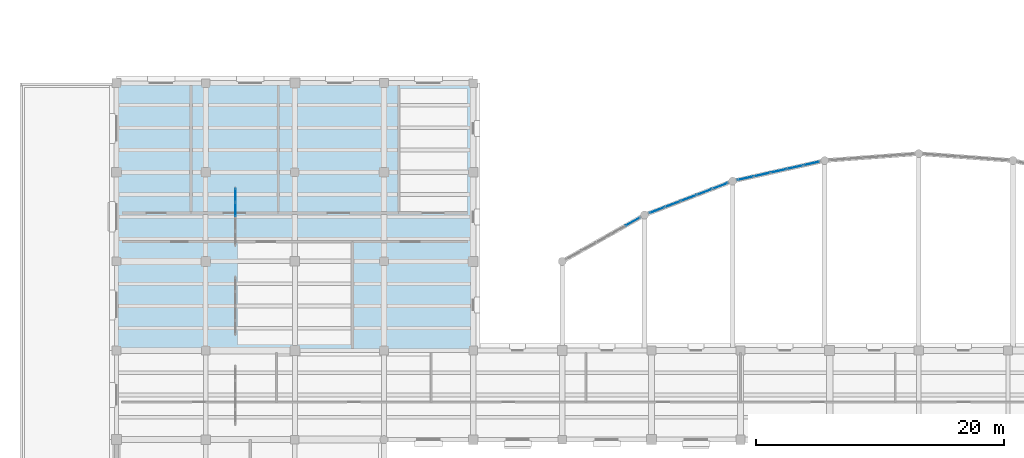
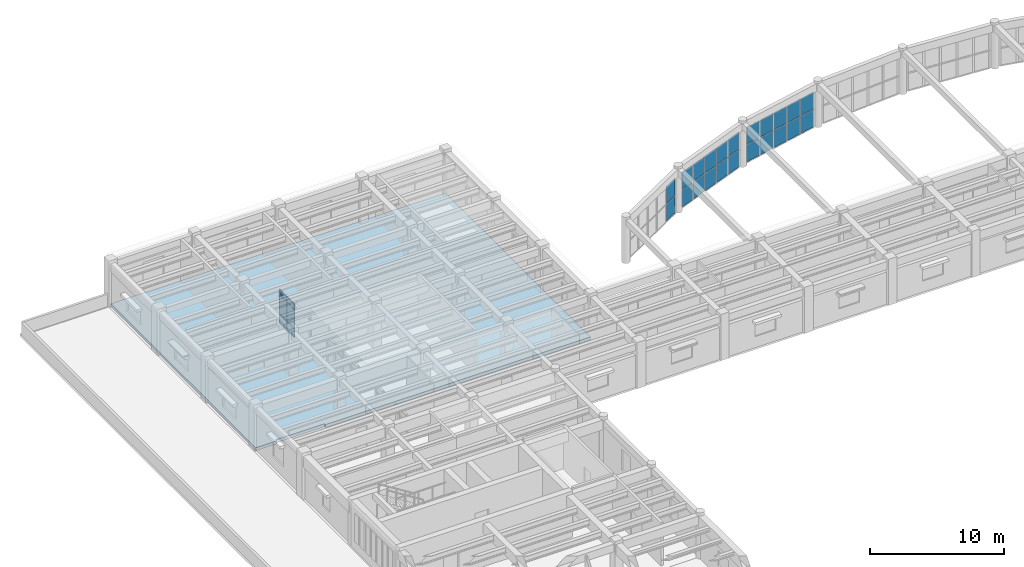
# One storey, part 41 of 76: 28 plates, 1 slab, 4 elements without a shape of their own.
"""IFC4 building model written with IfcOpenShell, lengths in metres."""

from ifc_helpers import new_model, si_unit, direction, frame, origin, origin_2d, place, context, subcontext, project, spatial, polyline, rectangle, outline, extrude, material, layer, layer_set, type_object, element, aggregate, save


model = new_model("IFC4")

# Units and contexts
model_context = context("Model", 3, precision=1e-05, world=origin(), true_north=direction((0.0, 1.0)))
body_context = subcontext(model_context, "Body", "Model", "MODEL_VIEW")
ifc_project = project(units=[si_unit("LENGTHUNIT", "METRE"), si_unit("AREAUNIT", "SQUARE_METRE"), si_unit("VOLUMEUNIT", "CUBIC_METRE"), si_unit("PLANEANGLEUNIT", "RADIAN"), si_unit("MASSUNIT", "GRAM", prefix="KILO")], contexts=[model_context])

# Site, building, storey
site_placement = place(None, origin())
site = spatial("IfcSite", under=ifc_project, at=site_placement, CompositionType="ELEMENT")
building_placement = place(site_placement, origin())
building = spatial("IfcBuilding", under=site, at=building_placement, Name="Mithqara Police Headquarters", CompositionType="ELEMENT")
storey_placement = place(building_placement, frame((0.0, 0.0, 5.39990234375)))
storey = spatial("IfcBuildingStorey", under=building, at=storey_placement, Name="L01", CompositionType="ELEMENT", Elevation=5.39990234375)

# Curtain wall, plates
ifc_material_1 = material(Name="Bronze anodised aluminium 6063-T6", Category="aluminium")
curtain_wall_type_1 = type_object("IfcCurtainWallType", Name="CURTAIN WALL 6875X3300", PredefinedType="USERDEFINED", material=ifc_material_1)
curtain_wall_1_placement = place(storey_placement, origin())
curtain_wall_1 = element("IfcCurtainWall", 1, at=curtain_wall_1_placement, inside=storey, type_object=curtain_wall_type_1, Name="L01 Unitised Glazing CW-12 (CW-ARC-L01-00-0)", ObjectType="UNITISED GLAZING", PredefinedType="USERDEFINED")
ifc_material_2 = material(Name="Spectrally selective double low-e glass", Category="glass")
ifc_layer_1 = layer(ifc_material_2, 0.028076171875, Name="Spectrally selective double low-e glass")
ifc_layer_set_1 = layer_set([ifc_layer_1], Name="Spectrally selective double low-e glass")
plate_type = type_object("IfcPlateType", Name="CWPANEL GLASS28", PredefinedType="CURTAIN_PANEL", material=ifc_layer_set_1)
plate_1_placement = place(storey_placement, frame((49.5009765625, 96.2158203125, 0.06494140625), z_axis=(0.0, 0.0, 1.0), x_axis=(0.870985969427, 0.491307888255, 0.0)))
plate_1 = element("IfcPlate", 2, at=plate_1_placement, type_object=plate_type, Name="CW-12 panel 5.1", PredefinedType="CURTAIN_PANEL", context=body_context, shape_type="SweptSolid", body=[
    extrude(rectangle(XDim=1.27734375, YDim=0.028076171875, at=origin_2d()), origin(), (0.0, 0.0, 1.0), 1.552490234375),
])
plate_2_placement = place(storey_placement, frame((49.5009765625, 96.2158203125, 1.6826171875), z_axis=(0.0, 0.0, 1.0), x_axis=(0.870985969427, 0.491307888255, 0.0)))
plate_2 = element("IfcPlate", 3, at=plate_2_placement, type_object=plate_type, Name="CW-12 panel 5.2", PredefinedType="CURTAIN_PANEL", context=body_context, shape_type="SweptSolid", body=[
    extrude(rectangle(XDim=1.27734375, YDim=0.028076171875, at=origin_2d()), origin(), (0.0, 0.0, 1.0), 1.552490234375),
])
aggregate(curtain_wall_1, [plate_1, plate_2])

curtain_wall_2_placement = place(storey_placement, origin())
curtain_wall_2 = element("IfcCurtainWall", 4, at=curtain_wall_2_placement, inside=storey, type_object=curtain_wall_type_1, Name="L01 Unitised Glazing CW-12 (CW-ARC-L01-01-0)", ObjectType="UNITISED GLAZING", PredefinedType="USERDEFINED")
plate_3_placement = place(storey_placement, frame((51.44677734375, 97.132568359375, 0.06494140625), z_axis=(0.0, 0.0, 1.0), x_axis=(0.933460278765, 0.358680788402, 0.0)))
plate_3 = element("IfcPlate", 5, at=plate_3_placement, type_object=plate_type, Name="CW-12 panel 1.1", PredefinedType="CURTAIN_PANEL", context=body_context, shape_type="SweptSolid", body=[
    extrude(rectangle(XDim=1.27734375, YDim=0.028076171875, at=origin_2d()), origin(), (0.0, 0.0, 1.0), 1.552490234375),
])
plate_4_placement = place(storey_placement, frame((51.44677734375, 97.132568359375, 1.6826171875), z_axis=(0.0, 0.0, 1.0), x_axis=(0.933460278765, 0.358680788402, 0.0)))
plate_4 = element("IfcPlate", 6, at=plate_4_placement, type_object=plate_type, Name="CW-12 panel 1.2", PredefinedType="CURTAIN_PANEL", context=body_context, shape_type="SweptSolid", body=[
    extrude(rectangle(XDim=1.27734375, YDim=0.028076171875, at=origin_2d()), origin(), (0.0, 0.0, 1.0), 1.552490234375),
])
plate_5_placement = place(storey_placement, frame((52.715087890625, 97.619873046875, 0.06494140625), z_axis=(0.0, 0.0, 1.0), x_axis=(0.933460278765, 0.358680788402, 0.0)))
plate_5 = element("IfcPlate", 7, at=plate_5_placement, type_object=plate_type, Name="CW-12 panel 2.1", PredefinedType="CURTAIN_PANEL", context=body_context, shape_type="SweptSolid", body=[
    extrude(rectangle(XDim=1.309814453125, YDim=0.028076171875, at=origin_2d()), origin(), (0.0, 0.0, 1.0), 1.552490234375),
])
plate_6_placement = place(storey_placement, frame((52.715087890625, 97.619873046875, 1.6826171875), z_axis=(0.0, 0.0, 1.0), x_axis=(0.933460278765, 0.358680788402, 0.0)))
plate_6 = element("IfcPlate", 8, at=plate_6_placement, type_object=plate_type, Name="CW-12 panel 2.2", PredefinedType="CURTAIN_PANEL", context=body_context, shape_type="SweptSolid", body=[
    extrude(rectangle(XDim=1.309814453125, YDim=0.028076171875, at=origin_2d()), origin(), (0.0, 0.0, 1.0), 1.552490234375),
])
plate_7_placement = place(storey_placement, frame((53.99853515625, 98.113037109375, 0.06494140625), z_axis=(0.0, 0.0, 1.0), x_axis=(0.933460278765, 0.358680788402, 0.0)))
plate_7 = element("IfcPlate", 9, at=plate_7_placement, type_object=plate_type, Name="CW-12 panel 3.1", PredefinedType="CURTAIN_PANEL", context=body_context, shape_type="SweptSolid", body=[
    extrude(rectangle(XDim=1.309814453125, YDim=0.028076171875, at=origin_2d()), origin(), (0.0, 0.0, 1.0), 1.552490234375),
])
plate_8_placement = place(storey_placement, frame((53.99853515625, 98.113037109375, 1.6826171875), z_axis=(0.0, 0.0, 1.0), x_axis=(0.933460278765, 0.358680788402, 0.0)))
plate_8 = element("IfcPlate", 10, at=plate_8_placement, type_object=plate_type, Name="CW-12 panel 3.2", PredefinedType="CURTAIN_PANEL", context=body_context, shape_type="SweptSolid", body=[
    extrude(rectangle(XDim=1.309814453125, YDim=0.028076171875, at=origin_2d()), origin(), (0.0, 0.0, 1.0), 1.552490234375),
])
plate_9_placement = place(storey_placement, frame((55.281982421875, 98.606201171875, 0.06494140625), z_axis=(0.0, 0.0, 1.0), x_axis=(0.933460278765, 0.358680788402, 0.0)))
plate_9 = element("IfcPlate", 11, at=plate_9_placement, type_object=plate_type, Name="CW-12 panel 4.1", PredefinedType="CURTAIN_PANEL", context=body_context, shape_type="SweptSolid", body=[
    extrude(rectangle(XDim=1.309814453125, YDim=0.028076171875, at=origin_2d()), origin(), (0.0, 0.0, 1.0), 1.552490234375),
])
plate_10_placement = place(storey_placement, frame((55.281982421875, 98.606201171875, 1.6826171875), z_axis=(0.0, 0.0, 1.0), x_axis=(0.933460278765, 0.358680788402, 0.0)))
plate_10 = element("IfcPlate", 12, at=plate_10_placement, type_object=plate_type, Name="CW-12 panel 4.2", PredefinedType="CURTAIN_PANEL", context=body_context, shape_type="SweptSolid", body=[
    extrude(rectangle(XDim=1.309814453125, YDim=0.028076171875, at=origin_2d()), origin(), (0.0, 0.0, 1.0), 1.552490234375),
])
plate_11_placement = place(storey_placement, frame((56.55029296875, 99.093505859375, 0.06494140625), z_axis=(0.0, 0.0, 1.0), x_axis=(0.933460278765, 0.358680788402, 0.0)))
plate_11 = element("IfcPlate", 13, at=plate_11_placement, type_object=plate_type, Name="CW-12 panel 5.1", PredefinedType="CURTAIN_PANEL", context=body_context, shape_type="SweptSolid", body=[
    extrude(rectangle(XDim=1.27734375, YDim=0.028076171875, at=origin_2d()), origin(), (0.0, 0.0, 1.0), 1.552490234375),
])
plate_12_placement = place(storey_placement, frame((56.55029296875, 99.093505859375, 1.6826171875), z_axis=(0.0, 0.0, 1.0), x_axis=(0.933460278765, 0.358680788402, 0.0)))
plate_12 = element("IfcPlate", 14, at=plate_12_placement, type_object=plate_type, Name="CW-12 panel 5.2", PredefinedType="CURTAIN_PANEL", context=body_context, shape_type="SweptSolid", body=[
    extrude(rectangle(XDim=1.27734375, YDim=0.028076171875, at=origin_2d()), origin(), (0.0, 0.0, 1.0), 1.552490234375),
])
aggregate(curtain_wall_2, [plate_3, plate_4, plate_5, plate_6, plate_7, plate_8, plate_9, plate_10, plate_11, plate_12])

curtain_wall_3_placement = place(storey_placement, origin())
curtain_wall_3 = element("IfcCurtainWall", 15, at=curtain_wall_3_placement, inside=storey, type_object=curtain_wall_type_1, Name="L01 Unitised Glazing CW-12 (CW-ARC-L01-02-0)", ObjectType="UNITISED GLAZING", PredefinedType="USERDEFINED")
plate_13_placement = place(storey_placement, frame((58.609130859375, 99.7158203125, 0.06494140625), z_axis=(0.0, 0.0, 1.0), x_axis=(0.975872523567, 0.218341058316, 0.0)))
plate_13 = element("IfcPlate", 16, at=plate_13_placement, type_object=plate_type, Name="CW-12 panel 1.1", PredefinedType="CURTAIN_PANEL", context=body_context, shape_type="SweptSolid", body=[
    extrude(rectangle(XDim=1.27734375, YDim=0.028076171875, at=origin_2d()), origin(), (0.0, 0.0, 1.0), 1.552490234375),
])
plate_14_placement = place(storey_placement, frame((58.609130859375, 99.7158203125, 1.6826171875), z_axis=(0.0, 0.0, 1.0), x_axis=(0.975872523567, 0.218341058316, 0.0)))
plate_14 = element("IfcPlate", 17, at=plate_14_placement, type_object=plate_type, Name="CW-12 panel 1.2", PredefinedType="CURTAIN_PANEL", context=body_context, shape_type="SweptSolid", body=[
    extrude(rectangle(XDim=1.27734375, YDim=0.028076171875, at=origin_2d()), origin(), (0.0, 0.0, 1.0), 1.552490234375),
])
plate_15_placement = place(storey_placement, frame((59.93505859375, 100.012451171875, 0.06494140625), z_axis=(0.0, 0.0, 1.0), x_axis=(0.975872523567, 0.218341058316, 0.0)))
plate_15 = element("IfcPlate", 18, at=plate_15_placement, type_object=plate_type, Name="CW-12 panel 2.1", PredefinedType="CURTAIN_PANEL", context=body_context, shape_type="SweptSolid", body=[
    extrude(rectangle(XDim=1.309814453125, YDim=0.028076171875, at=origin_2d()), origin(), (0.0, 0.0, 1.0), 1.552490234375),
])
plate_16_placement = place(storey_placement, frame((59.93505859375, 100.012451171875, 1.6826171875), z_axis=(0.0, 0.0, 1.0), x_axis=(0.975872523567, 0.218341058316, 0.0)))
plate_16 = element("IfcPlate", 19, at=plate_16_placement, type_object=plate_type, Name="CW-12 panel 2.2", PredefinedType="CURTAIN_PANEL", context=body_context, shape_type="SweptSolid", body=[
    extrude(rectangle(XDim=1.309814453125, YDim=0.028076171875, at=origin_2d()), origin(), (0.0, 0.0, 1.0), 1.552490234375),
])
plate_17_placement = place(storey_placement, frame((61.27685546875, 100.3125, 0.06494140625), z_axis=(0.0, 0.0, 1.0), x_axis=(0.975872523567, 0.218341058316, 0.0)))
plate_17 = element("IfcPlate", 20, at=plate_17_placement, type_object=plate_type, Name="CW-12 panel 3.1", PredefinedType="CURTAIN_PANEL", context=body_context, shape_type="SweptSolid", body=[
    extrude(rectangle(XDim=1.309814453125, YDim=0.028076171875, at=origin_2d()), origin(), (0.0, 0.0, 1.0), 1.552490234375),
])
plate_18_placement = place(storey_placement, frame((61.27685546875, 100.3125, 1.6826171875), z_axis=(0.0, 0.0, 1.0), x_axis=(0.975872523567, 0.218341058316, 0.0)))
plate_18 = element("IfcPlate", 21, at=plate_18_placement, type_object=plate_type, Name="CW-12 panel 3.2", PredefinedType="CURTAIN_PANEL", context=body_context, shape_type="SweptSolid", body=[
    extrude(rectangle(XDim=1.309814453125, YDim=0.028076171875, at=origin_2d()), origin(), (0.0, 0.0, 1.0), 1.552490234375),
])
plate_19_placement = place(storey_placement, frame((62.618408203125, 100.61279296875, 0.06494140625), z_axis=(0.0, 0.0, 1.0), x_axis=(0.975872523567, 0.218341058316, 0.0)))
plate_19 = element("IfcPlate", 22, at=plate_19_placement, type_object=plate_type, Name="CW-12 panel 4.1", PredefinedType="CURTAIN_PANEL", context=body_context, shape_type="SweptSolid", body=[
    extrude(rectangle(XDim=1.309814453125, YDim=0.028076171875, at=origin_2d()), origin(), (0.0, 0.0, 1.0), 1.552490234375),
])
plate_20_placement = place(storey_placement, frame((62.618408203125, 100.61279296875, 1.6826171875), z_axis=(0.0, 0.0, 1.0), x_axis=(0.975872523567, 0.218341058316, 0.0)))
plate_20 = element("IfcPlate", 23, at=plate_20_placement, type_object=plate_type, Name="CW-12 panel 4.2", PredefinedType="CURTAIN_PANEL", context=body_context, shape_type="SweptSolid", body=[
    extrude(rectangle(XDim=1.309814453125, YDim=0.028076171875, at=origin_2d()), origin(), (0.0, 0.0, 1.0), 1.552490234375),
])
plate_21_placement = place(storey_placement, frame((63.9443359375, 100.909423828125, 0.06494140625), z_axis=(0.0, 0.0, 1.0), x_axis=(0.975872523567, 0.218341058316, 0.0)))
plate_21 = element("IfcPlate", 24, at=plate_21_placement, type_object=plate_type, Name="CW-12 panel 5.1", PredefinedType="CURTAIN_PANEL", context=body_context, shape_type="SweptSolid", body=[
    extrude(rectangle(XDim=1.27734375, YDim=0.028076171875, at=origin_2d()), origin(), (0.0, 0.0, 1.0), 1.552490234375),
])
plate_22_placement = place(storey_placement, frame((63.9443359375, 100.909423828125, 1.6826171875), z_axis=(0.0, 0.0, 1.0), x_axis=(0.975872523567, 0.218341058316, 0.0)))
plate_22 = element("IfcPlate", 25, at=plate_22_placement, type_object=plate_type, Name="CW-12 panel 5.2", PredefinedType="CURTAIN_PANEL", context=body_context, shape_type="SweptSolid", body=[
    extrude(rectangle(XDim=1.27734375, YDim=0.028076171875, at=origin_2d()), origin(), (0.0, 0.0, 1.0), 1.552490234375),
])
aggregate(curtain_wall_3, [plate_13, plate_14, plate_15, plate_16, plate_17, plate_18, plate_19, plate_20, plate_21, plate_22])

curtain_wall_type_2 = type_object("IfcCurtainWallType", Name="CURTAIN WALL 4700X3200", PredefinedType="USERDEFINED", material=ifc_material_1)
curtain_wall_4_placement = place(storey_placement, origin())
curtain_wall_4 = element("IfcCurtainWall", 26, at=curtain_wall_4_placement, inside=storey, type_object=curtain_wall_type_2, Name="L01 Unitised Glazing CW-15 (CW-INT-L01-X02-Y13-0)", ObjectType="UNITISED GLAZING", PredefinedType="USERDEFINED")
plate_23_placement = place(storey_placement, frame((17.39990234375, 97.1875, 0.074951171875), z_axis=(0.0, 0.0, 1.0), x_axis=(0.0, 1.0, 0.0)))
plate_23 = element("IfcPlate", 27, at=plate_23_placement, type_object=plate_type, Name="CW-15 panel 3.1", PredefinedType="CURTAIN_PANEL", context=body_context, shape_type="SweptSolid", body=[
    extrude(rectangle(XDim=1.10009765625, YDim=0.028076171875, at=origin_2d()), origin(), (0.0, 0.0, 1.0), 0.78759765625),
])
plate_24_placement = place(storey_placement, frame((17.39990234375, 97.1875, 0.9375), z_axis=(0.0, 0.0, 1.0), x_axis=(0.0, 1.0, 0.0)))
plate_24 = element("IfcPlate", 28, at=plate_24_placement, type_object=plate_type, Name="CW-15 panel 3.2", PredefinedType="CURTAIN_PANEL", context=body_context, shape_type="SweptSolid", body=[
    extrude(rectangle(XDim=1.10009765625, YDim=0.028076171875, at=origin_2d()), origin(), (0.0, 0.0, 1.0), 1.675048828125),
])
plate_25_placement = place(storey_placement, frame((17.39990234375, 97.1875, 2.6875), z_axis=(0.0, 0.0, 1.0), x_axis=(0.0, 1.0, 0.0)))
plate_25 = element("IfcPlate", 29, at=plate_25_placement, type_object=plate_type, Name="CW-15 panel 3.3", PredefinedType="CURTAIN_PANEL", context=body_context, shape_type="SweptSolid", body=[
    extrude(rectangle(XDim=1.10009765625, YDim=0.028076171875, at=origin_2d()), origin(), (0.0, 0.0, 1.0), 0.4375),
])
plate_26_placement = place(storey_placement, frame((17.39990234375, 98.34375, 0.074951171875), z_axis=(0.0, 0.0, 1.0), x_axis=(0.0, 1.0, 0.0)))
plate_26 = element("IfcPlate", 30, at=plate_26_placement, type_object=plate_type, Name="CW-15 panel 4.1", PredefinedType="CURTAIN_PANEL", context=body_context, shape_type="SweptSolid", body=[
    extrude(rectangle(XDim=1.0625, YDim=0.028076171875, at=origin_2d()), origin(), (0.0, 0.0, 1.0), 0.78759765625),
])
plate_27_placement = place(storey_placement, frame((17.39990234375, 98.34375, 0.9375), z_axis=(0.0, 0.0, 1.0), x_axis=(0.0, 1.0, 0.0)))
plate_27 = element("IfcPlate", 31, at=plate_27_placement, type_object=plate_type, Name="CW-15 panel 4.2", PredefinedType="CURTAIN_PANEL", context=body_context, shape_type="SweptSolid", body=[
    extrude(rectangle(XDim=1.0625, YDim=0.028076171875, at=origin_2d()), origin(), (0.0, 0.0, 1.0), 1.675048828125),
])
plate_28_placement = place(storey_placement, frame((17.39990234375, 98.34375, 2.6875), z_axis=(0.0, 0.0, 1.0), x_axis=(0.0, 1.0, 0.0)))
plate_28 = element("IfcPlate", 32, at=plate_28_placement, type_object=plate_type, Name="CW-15 panel 4.3", PredefinedType="CURTAIN_PANEL", context=body_context, shape_type="SweptSolid", body=[
    extrude(rectangle(XDim=1.0625, YDim=0.028076171875, at=origin_2d()), origin(), (0.0, 0.0, 1.0), 0.4375),
])
aggregate(curtain_wall_4, [plate_23, plate_24, plate_25, plate_26, plate_27, plate_28])

# Slab
ifc_material_3 = material(Name="Concrete C40/50", Category="concrete")
ifc_layer_2 = layer(ifc_material_3, 0.280029296875, Name="Concrete C40/50")
ifc_layer_set_2 = layer_set([ifc_layer_2], Name="Concrete C40/50")
slab_type = type_object("IfcSlabType", Name="FLOOR SLAB 280", PredefinedType="FLOOR", material=ifc_layer_set_2)
slab_placement = place(storey_placement, frame((0.0, 0.0, -0.27978515625)))
element("IfcSlab", 33, at=slab_placement, inside=storey, type_object=slab_type, Name="L01 Structural Slab L01-V4", PredefinedType="FLOOR", context=body_context, shape_type="SweptSolid", body=[
    extrude(outline(polyline([(7.800048828125, 107.39990234375), (36.60009765625, 107.39990234375), (36.60009765625, 85.800048828125), (13.800048828125, 85.800048828125), (13.800048828125, 85.93994140625), (9.60009765625, 85.93994140625), (9.60009765625, 85.800048828125), (7.800048828125, 85.800048828125), (7.800048828125, 107.39990234375)])), origin(), (0.0, 0.0, 1.0), 0.27978515625),
])

save(model, "model.ifc")
